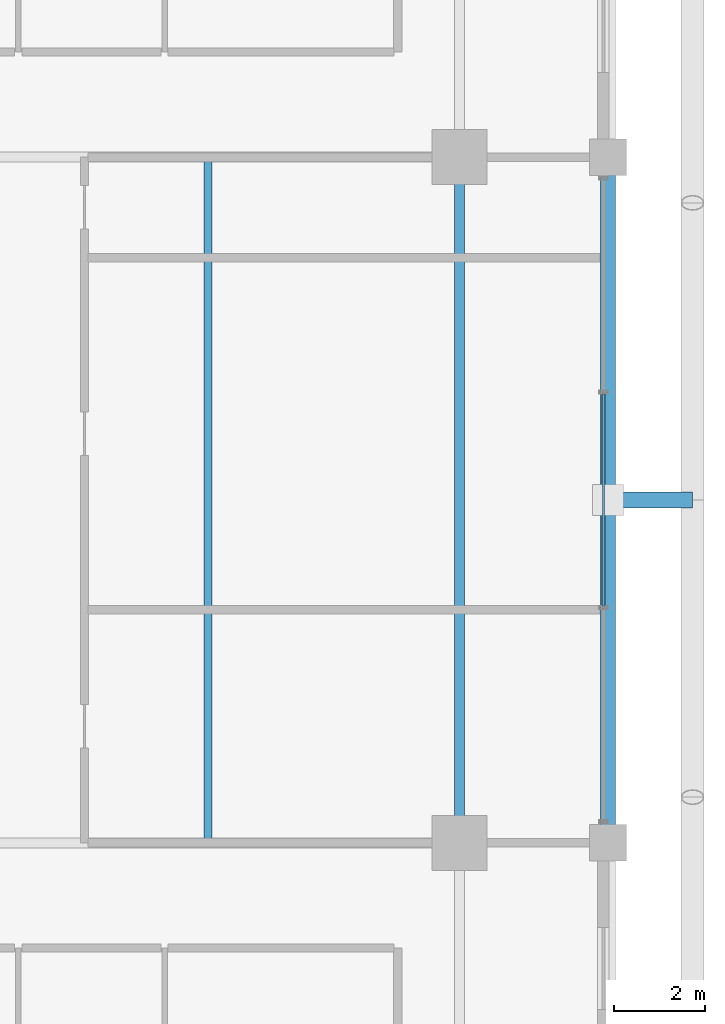
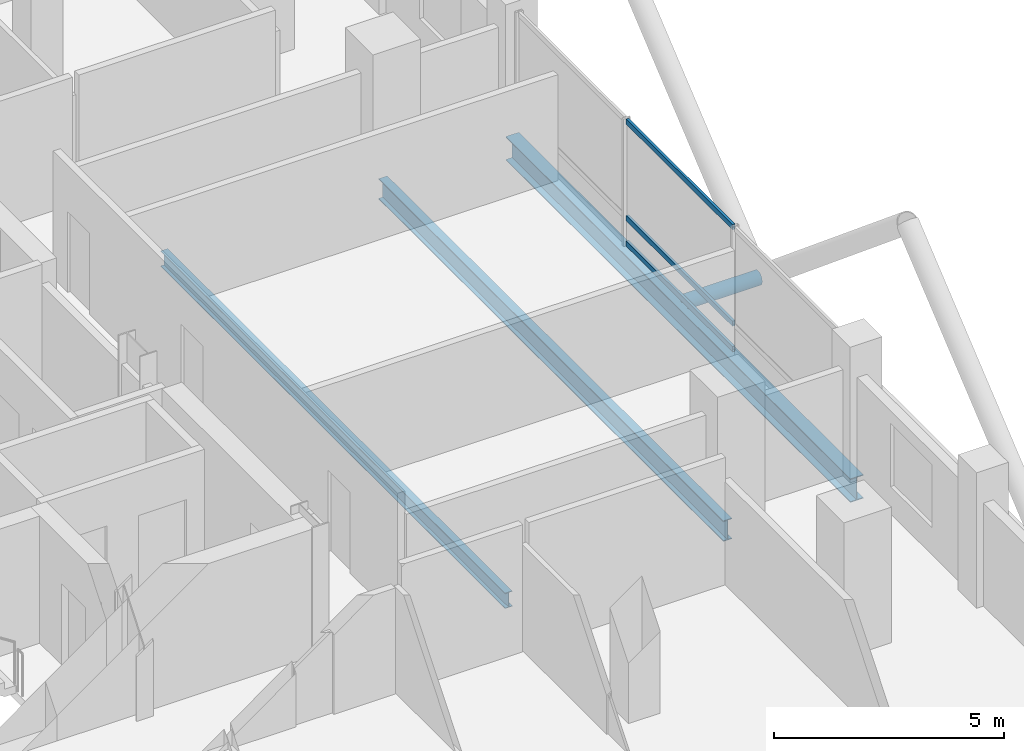
# One storey, part 10 of 25: 4 members, 3 beams, 1 element without a shape of its own.
"""IFC4 building model written with IfcOpenShell, lengths in metres."""

from ifc_helpers import new_model, si_unit, direction, frame, origin, origin_2d, place, context, subcontext, project, spatial, hollow_rectangle, hollow_circle, i_section, extrude, material, layer, layer_set, material_profile, profile_set, type_object, element, aggregate, save


model = new_model("IFC4")

# Units and contexts
model_context = context("Model", 3, precision=1e-05, world=origin(), true_north=direction((0.0, 1.0)))
body_context = subcontext(model_context, "Body", "Model", "MODEL_VIEW")
ifc_project = project(units=[si_unit("LENGTHUNIT", "METRE"), si_unit("AREAUNIT", "SQUARE_METRE"), si_unit("VOLUMEUNIT", "CUBIC_METRE"), si_unit("PLANEANGLEUNIT", "RADIAN"), si_unit("MASSUNIT", "GRAM", prefix="KILO")], contexts=[model_context])

# Site, building, storey
site_placement = place(None, origin())
site = spatial("IfcSite", under=ifc_project, at=site_placement, CompositionType="ELEMENT")
building_placement = place(site_placement, origin())
building = spatial("IfcBuilding", under=site, at=building_placement, Name="Barlavira Tower and Art Museum", CompositionType="ELEMENT")
storey_placement = place(building_placement, frame((0.0, 0.0, 133.199951171875)))
storey = spatial("IfcBuildingStorey", under=building, at=storey_placement, Name="L33", CompositionType="ELEMENT", Elevation=133.199951171875)

# Curtain wall, members
ifc_material_1 = material(Name="Low-iron coastal laminated glass", Category="glass")
ifc_layer = layer(ifc_material_1, 0.18994140625, Name="Low-iron coastal laminated glass")
ifc_layer_set = layer_set([ifc_layer], Name="Low-iron coastal laminated glass")
curtain_wall_type = type_object("IfcCurtainWallType", Name="Pale-Metal Unitised Curtain Wall Zone 2", PredefinedType="NOTDEFINED", material=ifc_layer_set)
curtain_wall_placement = place(storey_placement, origin())
curtain_wall = element("IfcCurtainWall", 1, at=curtain_wall_placement, inside=storey, type_object=curtain_wall_type, Name="L33 Curtain Wall CW2-L33-E-B3", PredefinedType="NOTDEFINED")
ifc_material_2 = material(Name="Pale anodised aluminium", Category="aluminium")
ifc_material_profile_1 = material_profile(ifc_material_2, hollow_rectangle(XDim=0.06494140625, YDim=0.139892578125, WallThickness=0.00390625, at=origin_2d()), Name="ALU-TRAN 65x140x4")
ifc_profile_set_1 = profile_set([ifc_material_profile_1], Name="Pale anodised aluminium")
member_type_1 = type_object("IfcMemberType", Name="Curtain Wall Pale-Metal Transom 65x140", PredefinedType="USERDEFINED", material=ifc_profile_set_1)
member_1_placement = place(storey_placement, frame((20.14990234375, -2.31494140625, 0.070068359375), z_axis=(0.0, 1.0, 0.0), x_axis=(-1.0, 0.0, 0.0)))
member_1 = element("IfcMember", 2, at=member_1_placement, type_object=member_type_1, Name="CW2-L33-E-B3 Transom 1.1", ObjectType="TRANSOM", PredefinedType="USERDEFINED", context=body_context, shape_type="SweptSolid", body=[
    extrude(hollow_rectangle(XDim=0.06494140625, YDim=0.139892578125, WallThickness=0.00390625, at=origin_2d()), origin(), (0.0, 0.0, 1.0), 4.6298828125),
])
member_2_placement = place(storey_placement, frame((20.14990234375, -2.31494140625, 0.744140625), z_axis=(0.0, 1.0, 0.0), x_axis=(-1.0, 0.0, 0.0)))
member_2 = element("IfcMember", 3, at=member_2_placement, type_object=member_type_1, Name="CW2-L33-E-B3 Transom 1.2", ObjectType="TRANSOM", PredefinedType="USERDEFINED", context=body_context, shape_type="SweptSolid", body=[
    extrude(hollow_rectangle(XDim=0.06494140625, YDim=0.139892578125, WallThickness=0.00390625, at=origin_2d()), origin(), (0.0, 0.0, 1.0), 4.6298828125),
])
member_3_placement = place(storey_placement, frame((20.14990234375, -2.31494140625, 3.31005859375), z_axis=(0.0, 1.0, 0.0), x_axis=(-1.0, 0.0, 0.0)))
member_3 = element("IfcMember", 4, at=member_3_placement, type_object=member_type_1, Name="CW2-L33-E-B3 Transom 1.3", ObjectType="TRANSOM", PredefinedType="USERDEFINED", context=body_context, shape_type="SweptSolid", body=[
    extrude(hollow_rectangle(XDim=0.06494140625, YDim=0.139892578125, WallThickness=0.00390625, at=origin_2d()), origin(), (0.0, 0.0, 1.0), 4.6298828125),
])
aggregate(curtain_wall, [member_1, member_2, member_3])

# Member
ifc_material_3 = material(Name="Steel S355", Category="steel")
ifc_material_profile_2 = material_profile(ifc_material_3, hollow_circle(Radius=0.177734375, WallThickness=0.01611328125, at=origin_2d()), Name="CHS 355.6x16.0")
ifc_profile_set_2 = profile_set([ifc_material_profile_2], Name="Steel S355")
member_type_2 = type_object("IfcMemberType", Name="Pale-Metal Exoskeleton Tie Strut CHS 356x16 Steel S355", PredefinedType="STRUT", material=ifc_profile_set_2)
member_4_placement = place(storey_placement, frame((22.10009765625, 0.0, -0.119873046875), z_axis=(-1.0, 0.0, 0.0), x_axis=(0.0, -1.0, 0.0)))
element("IfcMember", 5, at=member_4_placement, inside=storey, type_object=member_type_2, Name="L33 Exoskeleton Tie Strut E2", PredefinedType="STRUT", context=body_context, shape_type="SweptSolid", body=[
    extrude(hollow_circle(Radius=0.177734375, WallThickness=0.01611328125, at=origin_2d()), origin(), (0.0, 0.0, 1.0), 1.85009765625),
])

# Beams
ifc_material_profile_3 = material_profile(ifc_material_3, i_section(OverallWidth=0.327880859375, OverallDepth=0.62890625, WebThickness=0.013916015625, FlangeThickness=0.021484375, at=origin_2d()), Name="W610x174.0")
ifc_profile_set_3 = profile_set([ifc_material_profile_3], Name="Steel S355")
beam_type_1 = type_object("IfcBeamType", Name="Perimeter Spandrel Edge Beam W610x174 Steel S355", PredefinedType="SPANDREL", material=ifc_profile_set_3)
beam_1_placement = place(storey_placement, frame((20.25, -7.5, -0.534423828125), z_axis=(0.0, 1.0, 0.0), x_axis=(-1.0, 0.0, 0.0)))
element("IfcBeam", 6, at=beam_1_placement, inside=storey, type_object=beam_type_1, Name="L33 Spandrel 6", PredefinedType="SPANDREL", context=body_context, shape_type="SweptSolid", body=[
    extrude(i_section(OverallWidth=0.327880859375, OverallDepth=0.62890625, WebThickness=0.013916015625, FlangeThickness=0.021484375, at=origin_2d()), origin(), (0.0, 0.0, 1.0), 15.0),
])
ifc_material_profile_4 = material_profile(ifc_material_3, i_section(OverallWidth=0.214111328125, OverallDepth=0.549072265625, WebThickness=0.0146484375, FlangeThickness=0.023681640625, at=origin_2d()), Name="W530x138.0")
ifc_profile_set_4 = profile_set([ifc_material_profile_4], Name="Steel S355")
beam_type_2 = type_object("IfcBeamType", Name="Zone 1 Primary Floor Girder W530x138 Steel S355", PredefinedType="BEAM", material=ifc_profile_set_4)
beam_2_placement = place(storey_placement, frame((17.0, -7.5, -0.494384765625), z_axis=(0.0, 1.0, 0.0), x_axis=(-1.0, 0.0, 0.0)))
element("IfcBeam", 7, at=beam_2_placement, inside=storey, type_object=beam_type_2, Name="L33 Girder M-E2", PredefinedType="BEAM", context=body_context, shape_type="SweptSolid", body=[
    extrude(i_section(OverallWidth=0.214111328125, OverallDepth=0.549072265625, WebThickness=0.0146484375, FlangeThickness=0.023681640625, at=origin_2d()), origin(), (0.0, 0.0, 1.0), 15.0),
])
ifc_material_profile_5 = material_profile(ifc_material_3, i_section(OverallWidth=0.179931640625, OverallDepth=0.4130859375, WebThickness=0.009765625, FlangeThickness=0.01611328125, at=origin_2d()), Name="W410x75.0")
ifc_profile_set_5 = profile_set([ifc_material_profile_5], Name="Steel S355")
beam_type_3 = type_object("IfcBeamType", Name="Zone 2 Composite Floor Joist W410x75 Steel S355", PredefinedType="JOIST", material=ifc_profile_set_5)
beam_3_placement = place(storey_placement, frame((11.5, -7.5, -0.426513671875), z_axis=(0.0, 1.0, 0.0), x_axis=(-1.0, 0.0, 0.0)))
element("IfcBeam", 8, at=beam_3_placement, inside=storey, type_object=beam_type_3, Name="L33 Joist W2", PredefinedType="JOIST", context=body_context, shape_type="SweptSolid", body=[
    extrude(i_section(OverallWidth=0.179931640625, OverallDepth=0.4130859375, WebThickness=0.009765625, FlangeThickness=0.01611328125, at=origin_2d()), origin(), (0.0, 0.0, 1.0), 15.0),
])

save(model, "model.ifc")
